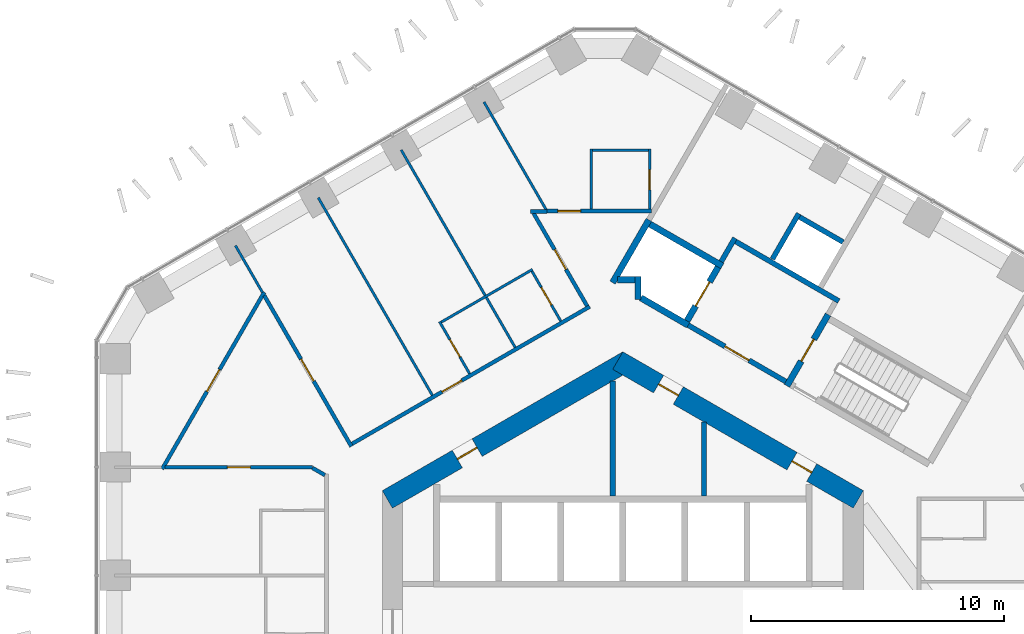
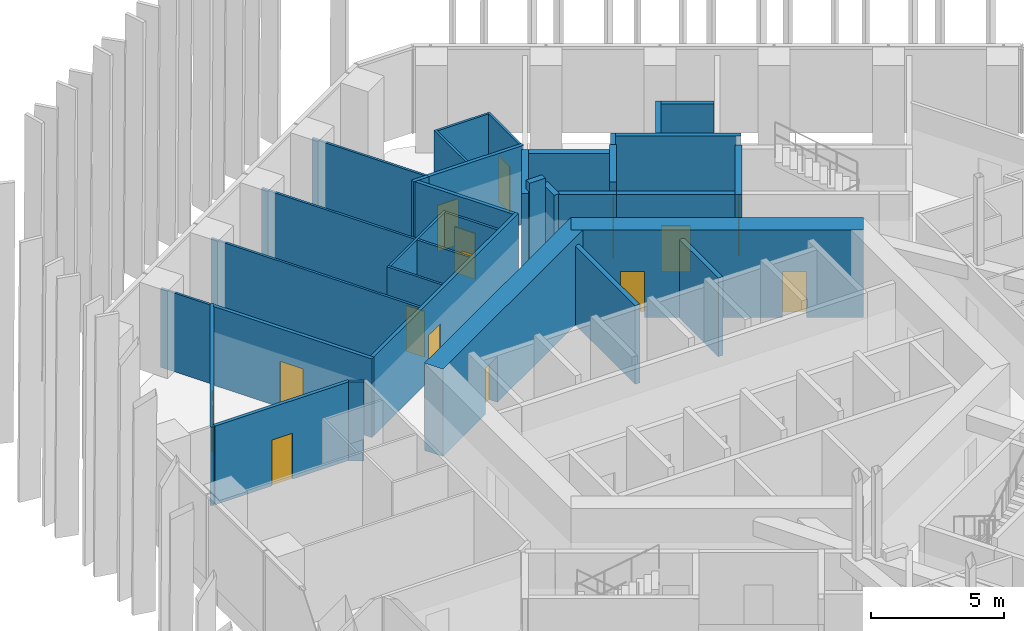
# One storey, part 22 of 29: 34 walls, 15 doors, 15 openings.
"""IFC4 building model written with IfcOpenShell, lengths in metres."""

from ifc_helpers import new_model, si_unit, direction, frame, frame_2d, origin, place, context, subcontext, project, spatial, rectangle, extrude, material, layer, layer_set, type_object, element, fill, save


model = new_model("IFC4")

# Units and contexts
model_context = context("Model", 3, precision=1e-05, world=origin(), true_north=direction((0.0, 1.0)))
body_context = subcontext(model_context, "Body", "Model", "MODEL_VIEW")
ifc_project = project(units=[si_unit("LENGTHUNIT", "METRE"), si_unit("AREAUNIT", "SQUARE_METRE"), si_unit("VOLUMEUNIT", "CUBIC_METRE"), si_unit("PLANEANGLEUNIT", "RADIAN"), si_unit("MASSUNIT", "GRAM", prefix="KILO")], contexts=[model_context])

# Site, building, storey
site_placement = place(None, origin())
site = spatial("IfcSite", under=ifc_project, at=site_placement, CompositionType="ELEMENT")
building_placement = place(site_placement, origin())
building = spatial("IfcBuilding", under=site, at=building_placement, Name="Ayvan Gate Tower", CompositionType="ELEMENT")
storey_placement = place(building_placement, frame((0.0, 0.0, 66.300048828125)))
storey = spatial("IfcBuildingStorey", under=building, at=storey_placement, Name="L17", CompositionType="ELEMENT", Elevation=66.300048828125)

# Wall, openings, doors
ifc_material_1 = material(Name="Concrete C70/85", Category="concrete")
ifc_layer_1 = layer(ifc_material_1, 0.800048828125)
ifc_layer_set_1 = layer_set([ifc_layer_1], Name="Concrete C70/85")
wall_type_1 = type_object("IfcWallType", Name="Core wall 800 C70/85", PredefinedType="SHEAR", material=ifc_layer_set_1)
wall_1_placement = place(storey_placement, frame((9.300048828125, 5.138427734375, 0.0), z_axis=(0.0, 0.0, 1.0), x_axis=(-0.866023993627, 0.500002442456, 0.0)))
wall_1 = element("IfcWall", 1, at=wall_1_placement, inside=storey, type_object=wall_type_1, Name="CORE-L17-1", PredefinedType="SHEAR", context=body_context, shape_type="SweptSolid", body=[
    extrude(rectangle(XDim=10.9697265625, YDim=0.800048828125, at=frame_2d((5.48486328125, 0.0))), origin(), (0.0, 0.0, 1.0), 4.0),
])
opening_1_placement = place(wall_1_placement, frame((8.209716796875, 0.0, 0.0)))
opening_1 = element("IfcOpeningElement", 2, at=opening_1_placement, cuts=wall_1, Name="Opening L17-D52", PredefinedType="OPENING", context=body_context, shape_type="SweptSolid", body=[
    extrude(rectangle(XDim=0.89990234375, YDim=2.10009765625, at=frame_2d((0.449951171875, 1.050048828125))), frame((0.0, 0.409912109375, 0.0), z_axis=(0.0, -1.0, 0.0), x_axis=(1.0, 0.0, 0.0)), (0.0, 0.0, 1.0), 0.820068359375),
])
opening_2_placement = place(wall_1_placement, frame((2.1259765625, 0.0, 0.0)))
opening_2 = element("IfcOpeningElement", 3, at=opening_2_placement, cuts=wall_1, Name="Opening L17-D53", PredefinedType="OPENING", context=body_context, shape_type="SweptSolid", body=[
    extrude(rectangle(XDim=0.89990234375, YDim=2.10009765625, at=frame_2d((0.449951171875, 1.050048828125))), frame((0.0, 0.409912109375, 0.0), z_axis=(0.0, -1.0, 0.0), x_axis=(1.0, 0.0, 0.0)), (0.0, 0.0, 1.0), 0.820068359375),
])
ifc_material_2 = material(Name="Timber door leaf", Category="wood")
door_type_1 = type_object("IfcDoorType", Name="DT-900", OperationType="NOTDEFINED", PredefinedType="DOOR", material=ifc_material_2)
door_1_placement = place(opening_1_placement, origin())
door_1 = element("IfcDoor", 4, at=door_1_placement, inside=storey, type_object=door_type_1, Name="CD-L17-52", OperationType="SINGLE_SWING_LEFT", OverallHeight=2.10009765625, OverallWidth=0.89990234375, PredefinedType="DOOR", context=body_context, shape_type="SweptSolid", body=[
    extrude(rectangle(XDim=0.89990234375, YDim=2.10009765625, at=frame_2d((0.449951171875, 1.050048828125))), frame((0.0, 0.02490234375, 0.0), z_axis=(0.0, -1.0, 0.0), x_axis=(1.0, 0.0, 0.0)), (0.0, 0.0, 1.0), 0.050048828125),
])
fill(opening_1, door_1)
door_2_placement = place(opening_2_placement, origin())
door_2 = element("IfcDoor", 5, at=door_2_placement, inside=storey, type_object=door_type_1, Name="CD-L17-53", OperationType="SINGLE_SWING_RIGHT", OverallHeight=2.10009765625, OverallWidth=0.89990234375, PredefinedType="DOOR", context=body_context, shape_type="SweptSolid", body=[
    extrude(rectangle(XDim=0.89990234375, YDim=2.10009765625, at=frame_2d((0.449951171875, 1.050048828125))), frame((0.0, 0.02490234375, 0.0), z_axis=(0.0, -1.0, 0.0), x_axis=(1.0, 0.0, 0.0)), (0.0, 0.0, 1.0), 0.050048828125),
])
fill(opening_2, door_2)

# Wall, opening, door
wall_2_placement = place(storey_placement, frame((0.199951171875, 10.623291015625, 0.0), z_axis=(0.0, 0.0, 1.0), x_axis=(-0.866023993627, -0.500002442456, 0.0)))
wall_2 = element("IfcWall", 6, at=wall_2_placement, inside=storey, type_object=wall_type_1, Name="CORE-L17-2", PredefinedType="SHEAR", context=body_context, shape_type="SweptSolid", body=[
    extrude(rectangle(XDim=10.9697265625, YDim=0.800048828125, at=frame_2d((5.48486328125, 0.0))), origin(), (0.0, 0.0, 1.0), 4.0),
])
opening_3_placement = place(wall_2_placement, frame((6.877197265625, 0.0, 0.0)))
opening_3 = element("IfcOpeningElement", 7, at=opening_3_placement, cuts=wall_2, Name="Opening L17-D51", PredefinedType="OPENING", context=body_context, shape_type="SweptSolid", body=[
    extrude(rectangle(XDim=0.89990234375, YDim=2.10009765625, at=frame_2d((0.449951171875, 1.050048828125))), frame((0.0, 0.409912109375, 0.0), z_axis=(0.0, -1.0, 0.0), x_axis=(1.0, 0.0, 0.0)), (0.0, 0.0, 1.0), 0.820068359375),
])
door_3_placement = place(opening_3_placement, origin())
door_3 = element("IfcDoor", 8, at=door_3_placement, inside=storey, type_object=door_type_1, Name="CD-L17-51", OperationType="SINGLE_SWING_RIGHT", OverallHeight=2.10009765625, OverallWidth=0.89990234375, PredefinedType="DOOR", context=body_context, shape_type="SweptSolid", body=[
    extrude(rectangle(XDim=0.89990234375, YDim=2.10009765625, at=frame_2d((0.449951171875, 1.050048828125))), frame((0.0, 0.02490234375, 0.0), z_axis=(0.0, -1.0, 0.0), x_axis=(1.0, 0.0, 0.0)), (0.0, 0.0, 1.0), 0.050048828125),
])
fill(opening_3, door_3)

ifc_material_3 = material(Name="Plasterboard on steel stud", Category="steel")
ifc_layer_2 = layer(ifc_material_3, 0.14990234375)
ifc_layer_set_2 = layer_set([ifc_layer_2], Name="Plasterboard on steel stud")
wall_type_2 = type_object("IfcWallType", Name="WT-CORR-150", PredefinedType="PARTITIONING", material=ifc_layer_set_2)
wall_3_placement = place(storey_placement, frame((-18.1904296875, 6.342529296875, 0.0), z_axis=(0.0, 0.0, 1.0), x_axis=(0.499980305572, 0.866036774069, 0.0)))
wall_3 = element("IfcWall", 9, at=wall_3_placement, inside=storey, type_object=wall_type_2, Name="IW-L17-001", PredefinedType="PARTITIONING", context=body_context, shape_type="SweptSolid", body=[
    extrude(rectangle(XDim=8.059326171875, YDim=0.14990234375, at=frame_2d((4.02978515625, 0.0))), origin(), (0.0, 0.0, 1.0), 3.599853515625),
])
opening_4_placement = place(wall_3_placement, frame((3.52978515625, 0.0, 0.0)))
opening_4 = element("IfcOpeningElement", 10, at=opening_4_placement, cuts=wall_3, Name="Opening L17-D26", PredefinedType="OPENING", context=body_context, shape_type="SweptSolid", body=[
    extrude(rectangle(XDim=1.0, YDim=2.10009765625, at=frame_2d((0.5, 1.050048828125))), frame((0.0, 0.0849609375, 0.0), z_axis=(0.0, -1.0, 0.0), x_axis=(1.0, 0.0, 0.0)), (0.0, 0.0, 1.0), 0.169921875),
])
door_type_2 = type_object("IfcDoorType", Name="DT-1000", OperationType="NOTDEFINED", PredefinedType="DOOR", material=ifc_material_2)
door_4_placement = place(opening_4_placement, origin())
door_4 = element("IfcDoor", 11, at=door_4_placement, inside=storey, type_object=door_type_2, Name="ID-L17-026", OperationType="SINGLE_SWING_LEFT", OverallHeight=2.10009765625, OverallWidth=1.0, PredefinedType="DOOR", context=body_context, shape_type="SweptSolid", body=[
    extrude(rectangle(XDim=1.0, YDim=2.10009765625, at=frame_2d((0.5, 1.050048828125))), frame((0.0, 0.02490234375, 0.0), z_axis=(0.0, -1.0, 0.0), x_axis=(1.0, 0.0, 0.0)), (0.0, 0.0, 1.0), 0.050048828125),
])
fill(opening_4, door_4)

wall_4_placement = place(storey_placement, frame((-14.160888671875, 13.1923828125, 0.0), z_axis=(0.0, 0.0, 1.0), x_axis=(0.500005038635, -0.866022494708, 0.0)))
wall_4 = element("IfcWall", 12, at=wall_4_placement, inside=storey, type_object=wall_type_2, Name="IW-L17-009", PredefinedType="PARTITIONING", context=body_context, shape_type="SweptSolid", body=[
    extrude(rectangle(XDim=6.88037109375, YDim=0.14990234375, at=frame_2d((3.440185546875, 0.0))), origin(), (0.0, 0.0, 1.0), 3.599853515625),
])
opening_5_placement = place(wall_4_placement, frame((2.902587890625, 0.0, 0.0)))
opening_5 = element("IfcOpeningElement", 13, at=opening_5_placement, cuts=wall_4, Name="Opening L17-D37", PredefinedType="OPENING", context=body_context, shape_type="SweptSolid", body=[
    extrude(rectangle(XDim=1.0, YDim=2.10009765625, at=frame_2d((0.5, 1.050048828125))), frame((0.0, 0.0849609375, 0.0), z_axis=(0.0, -1.0, 0.0), x_axis=(1.0, 0.0, 0.0)), (0.0, 0.0, 1.0), 0.169921875),
])
door_5_placement = place(opening_5_placement, origin())
door_5 = element("IfcDoor", 14, at=door_5_placement, inside=storey, type_object=door_type_2, Name="ID-L17-037", OperationType="SINGLE_SWING_RIGHT", OverallHeight=2.10009765625, OverallWidth=1.0, PredefinedType="DOOR", context=body_context, shape_type="SweptSolid", body=[
    extrude(rectangle(XDim=1.0, YDim=2.10009765625, at=frame_2d((0.5, 1.050048828125))), frame((0.0, 0.02490234375, 0.0), z_axis=(0.0, -1.0, 0.0), x_axis=(1.0, 0.0, 0.0)), (0.0, 0.0, 1.0), 0.050048828125),
])
fill(opening_5, door_5)

wall_5_placement = place(storey_placement, frame((-12.2470703125, 6.407470703125, 0.0), z_axis=(0.0, 0.0, 1.0), x_axis=(-1.0, 0.0, 0.0)))
wall_5 = element("IfcWall", 15, at=wall_5_placement, inside=storey, type_object=wall_type_2, Name="IW-L17-014", PredefinedType="PARTITIONING", context=body_context, shape_type="SweptSolid", body=[
    extrude(rectangle(XDim=5.830810546875, YDim=0.14990234375, at=frame_2d((2.91552734375, 0.0))), origin(), (0.0, 0.0, 1.0), 3.599853515625),
])
opening_6_placement = place(wall_5_placement, frame((2.465576171875, 0.0, 0.0)))
opening_6 = element("IfcOpeningElement", 16, at=opening_6_placement, cuts=wall_5, Name="Opening L17-D27", PredefinedType="OPENING", context=body_context, shape_type="SweptSolid", body=[
    extrude(rectangle(XDim=0.89990234375, YDim=2.10009765625, at=frame_2d((0.449951171875, 1.050048828125))), frame((0.0, 0.0849609375, 0.0), z_axis=(0.0, -1.0, 0.0), x_axis=(1.0, 0.0, 0.0)), (0.0, 0.0, 1.0), 0.169921875),
])
door_6_placement = place(opening_6_placement, origin())
door_6 = element("IfcDoor", 17, at=door_6_placement, inside=storey, type_object=door_type_1, Name="ID-L17-027", OperationType="SINGLE_SWING_RIGHT", OverallHeight=2.10009765625, OverallWidth=0.89990234375, PredefinedType="DOOR", context=body_context, shape_type="SweptSolid", body=[
    extrude(rectangle(XDim=0.89990234375, YDim=2.10009765625, at=frame_2d((0.449951171875, 1.050048828125))), frame((0.0, 0.02490234375, 0.0), z_axis=(0.0, -1.0, 0.0), x_axis=(1.0, 0.0, 0.0)), (0.0, 0.0, 1.0), 0.050048828125),
])
fill(opening_6, door_6)

# Wall
wall_6_placement = place(storey_placement, frame((-11.764892578125, 6.099609375, 0.0), z_axis=(0.0, 0.0, 1.0), x_axis=(-0.865893856247, 0.500227777832, 0.0)))
element("IfcWall", 18, at=wall_6_placement, inside=storey, type_object=wall_type_2, Name="IW-L17-019", PredefinedType="PARTITIONING", context=body_context, shape_type="SweptSolid", body=[
    extrude(rectangle(XDim=0.571533203125, YDim=0.14990234375, at=frame_2d((0.28564453125, 0.0))), origin(), (0.0, 0.0, 1.0), 3.599853515625),
])

# Wall, opening, door
wall_7_placement = place(storey_placement, frame((-10.693115234375, 7.336181640625, 0.0), z_axis=(0.0, 0.0, 1.0), x_axis=(0.866018601944, 0.500011780947, 0.0)))
wall_7 = element("IfcWall", 19, at=wall_7_placement, inside=storey, type_object=wall_type_2, Name="IW-L17-021", PredefinedType="PARTITIONING", context=body_context, shape_type="SweptSolid", body=[
    extrude(rectangle(XDim=10.834716796875, YDim=0.14990234375, at=frame_2d((5.41748046875, 0.0))), origin(), (0.0, 0.0, 1.0), 3.599853515625),
])
opening_7_placement = place(wall_7_placement, frame((4.103271484375, 0.0, 0.0)))
opening_7 = element("IfcOpeningElement", 20, at=opening_7_placement, cuts=wall_7, Name="Opening L17-D35", PredefinedType="OPENING", context=body_context, shape_type="SweptSolid", body=[
    extrude(rectangle(XDim=0.89990234375, YDim=2.10009765625, at=frame_2d((0.449951171875, 1.050048828125))), frame((0.0, 0.0849609375, 0.0), z_axis=(0.0, -1.0, 0.0), x_axis=(1.0, 0.0, 0.0)), (0.0, 0.0, 1.0), 0.169921875),
])
door_7_placement = place(opening_7_placement, origin())
door_7 = element("IfcDoor", 21, at=door_7_placement, inside=storey, type_object=door_type_1, Name="ID-L17-035", OperationType="SINGLE_SWING_RIGHT", OverallHeight=2.10009765625, OverallWidth=0.89990234375, PredefinedType="DOOR", context=body_context, shape_type="SweptSolid", body=[
    extrude(rectangle(XDim=0.89990234375, YDim=2.10009765625, at=frame_2d((0.449951171875, 1.050048828125))), frame((0.0, 0.02490234375, 0.0), z_axis=(0.0, -1.0, 0.0), x_axis=(1.0, 0.0, 0.0)), (0.0, 0.0, 1.0), 0.050048828125),
])
fill(opening_7, door_7)

# Wall
wall_8_placement = place(storey_placement, frame((-3.640869140625, 16.510986328125, 0.0), z_axis=(0.0, 0.0, 1.0), x_axis=(1.0, 0.0, 0.0)))
element("IfcWall", 22, at=wall_8_placement, inside=storey, type_object=wall_type_2, Name="IW-L17-043", PredefinedType="PARTITIONING", context=body_context, shape_type="SweptSolid", body=[
    extrude(rectangle(XDim=0.65234375, YDim=0.14990234375, at=frame_2d((0.326171875, 0.0))), origin(), (0.0, 0.0, 1.0), 3.599853515625),
])

# Wall, opening, door
wall_9_placement = place(storey_placement, frame((-3.04638671875, 16.524658203125, 0.0), z_axis=(0.0, 0.0, 1.0), x_axis=(1.0, 0.0, 0.0)))
wall_9 = element("IfcWall", 23, at=wall_9_placement, inside=storey, type_object=wall_type_2, Name="IW-L17-045", PredefinedType="PARTITIONING", context=body_context, shape_type="SweptSolid", body=[
    extrude(rectangle(XDim=4.173095703125, YDim=0.14990234375, at=frame_2d((2.08642578125, 0.0))), origin(), (0.0, 0.0, 1.0), 3.599853515625),
])
opening_8_placement = place(wall_9_placement, frame((0.478515625, 0.0, 0.0)))
opening_8 = element("IfcOpeningElement", 24, at=opening_8_placement, cuts=wall_9, Name="Opening L17-D24", PredefinedType="OPENING", context=body_context, shape_type="SweptSolid", body=[
    extrude(rectangle(XDim=0.89990234375, YDim=2.10009765625, at=frame_2d((0.449951171875, 1.050048828125))), frame((0.0, 0.0849609375, 0.0), z_axis=(0.0, -1.0, 0.0), x_axis=(1.0, 0.0, 0.0)), (0.0, 0.0, 1.0), 0.169921875),
])
door_8_placement = place(opening_8_placement, origin())
door_8 = element("IfcDoor", 25, at=door_8_placement, inside=storey, type_object=door_type_1, Name="ID-L17-024", OperationType="SINGLE_SWING_LEFT", OverallHeight=2.10009765625, OverallWidth=0.89990234375, PredefinedType="DOOR", context=body_context, shape_type="SweptSolid", body=[
    extrude(rectangle(XDim=0.89990234375, YDim=2.10009765625, at=frame_2d((0.449951171875, 1.050048828125))), frame((0.0, 0.02490234375, 0.0), z_axis=(0.0, -1.0, 0.0), x_axis=(1.0, 0.0, 0.0)), (0.0, 0.0, 1.0), 0.050048828125),
])
fill(opening_8, door_8)

wall_10_placement = place(storey_placement, frame((-1.412353515625, 12.781005859375, 0.0), z_axis=(0.0, 0.0, 1.0), x_axis=(-0.499992114976, 0.866029956157, 0.0)))
wall_10 = element("IfcWall", 26, at=wall_10_placement, inside=storey, type_object=wall_type_2, Name="IW-L17-055", PredefinedType="PARTITIONING", context=body_context, shape_type="SweptSolid", body=[
    extrude(rectangle(XDim=4.23193359375, YDim=0.14990234375, at=frame_2d((2.115966796875, 0.0))), origin(), (0.0, 0.0, 1.0), 3.599853515625),
])
opening_9_placement = place(wall_10_placement, frame((1.666015625, 0.0, 0.0)))
opening_9 = element("IfcOpeningElement", 27, at=opening_9_placement, cuts=wall_10, Name="Opening L17-D33", PredefinedType="OPENING", context=body_context, shape_type="SweptSolid", body=[
    extrude(rectangle(XDim=0.89990234375, YDim=2.10009765625, at=frame_2d((0.449951171875, 1.050048828125))), frame((0.0, 0.0849609375, 0.0), z_axis=(0.0, -1.0, 0.0), x_axis=(1.0, 0.0, 0.0)), (0.0, 0.0, 1.0), 0.169921875),
])
door_9_placement = place(opening_9_placement, origin())
door_9 = element("IfcDoor", 28, at=door_9_placement, inside=storey, type_object=door_type_1, Name="ID-L17-033", OperationType="SINGLE_SWING_RIGHT", OverallHeight=2.10009765625, OverallWidth=0.89990234375, PredefinedType="DOOR", context=body_context, shape_type="SweptSolid", body=[
    extrude(rectangle(XDim=0.89990234375, YDim=2.10009765625, at=frame_2d((0.449951171875, 1.050048828125))), frame((0.0, 0.02490234375, 0.0), z_axis=(0.0, -1.0, 0.0), x_axis=(1.0, 0.0, 0.0)), (0.0, 0.0, 1.0), 0.050048828125),
])
fill(opening_9, door_9)

# Walls
ifc_layer_3 = layer(ifc_material_3, 0.10009765625)
ifc_layer_set_3 = layer_set([ifc_layer_3], Name="Plasterboard on steel stud")
wall_type_3 = type_object("IfcWallType", Name="WT-PART-100", PredefinedType="PARTITIONING", material=ifc_layer_set_3)
wall_11_placement = place(storey_placement, frame((-15.30029296875, 15.166259765625, 0.0), z_axis=(0.0, 0.0, 1.0), x_axis=(0.499937513688, -0.866061477268, 0.0)))
element("IfcWall", 29, at=wall_11_placement, inside=storey, type_object=wall_type_3, Name="IW-L17-005", PredefinedType="PARTITIONING", context=body_context, shape_type="SweptSolid", body=[
    extrude(rectangle(XDim=2.129150390625, YDim=0.10009765625, at=frame_2d((1.064453125, 0.0))), origin(), (0.0, 0.0, 1.0), 3.599853515625),
])
wall_12_placement = place(storey_placement, frame((-7.5234375, 9.2529296875, 0.0), z_axis=(0.0, 0.0, 1.0), x_axis=(-0.500009404554, 0.866019973994, 0.0)))
element("IfcWall", 30, at=wall_12_placement, inside=storey, type_object=wall_type_3, Name="IW-L17-027", PredefinedType="PARTITIONING", context=body_context, shape_type="SweptSolid", body=[
    extrude(rectangle(XDim=9.009521484375, YDim=0.10009765625, at=frame_2d((4.5048828125, 0.0))), origin(), (0.0, 0.0, 1.0), 3.599853515625),
])

# Wall, opening, door
wall_13_placement = place(storey_placement, frame((-7.23876953125, 12.15966796875, 0.0), z_axis=(0.0, 0.0, 1.0), x_axis=(0.499986429846, -0.866033238375, 0.0)))
wall_13 = element("IfcWall", 31, at=wall_13_placement, inside=storey, type_object=wall_type_3, Name="IW-L17-033", PredefinedType="PARTITIONING", context=body_context, shape_type="SweptSolid", body=[
    extrude(rectangle(XDim=2.375, YDim=0.10009765625, at=frame_2d((1.1875, 0.0))), origin(), (0.0, 0.0, 1.0), 3.599853515625),
])
opening_10_placement = place(wall_13_placement, frame((0.8125, 0.0, 0.0)))
opening_10 = element("IfcOpeningElement", 32, at=opening_10_placement, cuts=wall_13, Name="Opening L17-D36", PredefinedType="OPENING", context=body_context, shape_type="SweptSolid", body=[
    extrude(rectangle(XDim=0.800048828125, YDim=2.10009765625, at=frame_2d((0.39990234375, 1.050048828125))), frame((0.0, 0.06005859375, 0.0), z_axis=(0.0, -1.0, 0.0), x_axis=(1.0, 0.0, 0.0)), (0.0, 0.0, 1.0), 0.1201171875),
])
door_type_3 = type_object("IfcDoorType", Name="DT-800", OperationType="NOTDEFINED", PredefinedType="DOOR", material=ifc_material_2)
door_10_placement = place(opening_10_placement, origin())
door_10 = element("IfcDoor", 33, at=door_10_placement, inside=storey, type_object=door_type_3, Name="ID-L17-036", OperationType="SINGLE_SWING_LEFT", OverallHeight=2.10009765625, OverallWidth=0.800048828125, PredefinedType="DOOR", context=body_context, shape_type="SweptSolid", body=[
    extrude(rectangle(XDim=0.800048828125, YDim=2.10009765625, at=frame_2d((0.39990234375, 1.050048828125))), frame((0.0, 0.02490234375, 0.0), z_axis=(0.0, -1.0, 0.0), x_axis=(1.0, 0.0, 0.0)), (0.0, 0.0, 1.0), 0.050048828125),
])
fill(opening_10, door_10)

# Walls
wall_14_placement = place(storey_placement, frame((-7.17041015625, 12.141357421875, 0.0), z_axis=(0.0, 0.0, 1.0), x_axis=(0.866036909293, 0.499980071345, 0.0)))
element("IfcWall", 34, at=wall_14_placement, inside=storey, type_object=wall_type_3, Name="IW-L17-036", PredefinedType="PARTITIONING", context=body_context, shape_type="SweptSolid", body=[
    extrude(rectangle(XDim=4.156494140625, YDim=0.10009765625, at=frame_2d((2.078125, 0.0))), origin(), (0.0, 0.0, 1.0), 3.599853515625),
])
wall_15_placement = place(storey_placement, frame((-8.75634765625, 18.944580078125, 0.0), z_axis=(0.0, 0.0, 1.0), x_axis=(0.500009404554, -0.866019973994, 0.0)))
element("IfcWall", 35, at=wall_15_placement, inside=storey, type_object=wall_type_3, Name="IW-L17-037", PredefinedType="PARTITIONING", context=body_context, shape_type="SweptSolid", body=[
    extrude(rectangle(XDim=9.009521484375, YDim=0.10009765625, at=frame_2d((4.5048828125, 0.0))), origin(), (0.0, 0.0, 1.0), 3.599853515625),
])
wall_16_placement = place(storey_placement, frame((-3.033935546875, 16.589599609375, 0.0), z_axis=(0.0, 0.0, 1.0), x_axis=(-0.499975448907, 0.8660395779, 0.0)))
element("IfcWall", 36, at=wall_16_placement, inside=storey, type_object=wall_type_3, Name="IW-L17-044", PredefinedType="PARTITIONING", context=body_context, shape_type="SweptSolid", body=[
    extrude(rectangle(XDim=4.900634765625, YDim=0.10009765625, at=frame_2d((2.4501953125, 0.0))), origin(), (0.0, 0.0, 1.0), 3.599853515625),
])

# Wall, opening, door
wall_17_placement = place(storey_placement, frame((-2.45166015625, 12.18115234375, 0.0), z_axis=(0.0, 0.0, 1.0), x_axis=(-0.499982560684, 0.866035472144, 0.0)))
wall_17 = element("IfcWall", 37, at=wall_17_placement, inside=storey, type_object=wall_type_3, Name="IW-L17-050", PredefinedType="PARTITIONING", context=body_context, shape_type="SweptSolid", body=[
    extrude(rectangle(XDim=2.27490234375, YDim=0.10009765625, at=frame_2d((1.137451171875, 0.0))), origin(), (0.0, 0.0, 1.0), 3.599853515625),
])
opening_11_placement = place(wall_17_placement, frame((0.737548828125, 0.0, 0.0)))
opening_11 = element("IfcOpeningElement", 38, at=opening_11_placement, cuts=wall_17, Name="Opening L17-D34", PredefinedType="OPENING", context=body_context, shape_type="SweptSolid", body=[
    extrude(rectangle(XDim=0.800048828125, YDim=2.10009765625, at=frame_2d((0.39990234375, 1.050048828125))), frame((0.0, 0.06005859375, 0.0), z_axis=(0.0, -1.0, 0.0), x_axis=(1.0, 0.0, 0.0)), (0.0, 0.0, 1.0), 0.1201171875),
])
door_11_placement = place(opening_11_placement, origin())
door_11 = element("IfcDoor", 39, at=door_11_placement, inside=storey, type_object=door_type_3, Name="ID-L17-034", OperationType="SINGLE_SWING_LEFT", OverallHeight=2.10009765625, OverallWidth=0.800048828125, PredefinedType="DOOR", context=body_context, shape_type="SweptSolid", body=[
    extrude(rectangle(XDim=0.800048828125, YDim=2.10009765625, at=frame_2d((0.39990234375, 1.050048828125))), frame((0.0, 0.02490234375, 0.0), z_axis=(0.0, -1.0, 0.0), x_axis=(1.0, 0.0, 0.0)), (0.0, 0.0, 1.0), 0.050048828125),
])
fill(opening_11, door_11)

# Wall
wall_18_placement = place(storey_placement, frame((-1.243896484375, 18.974609375, 0.0), z_axis=(0.0, 0.0, 1.0), x_axis=(0.0, -1.0, 0.0)))
element("IfcWall", 40, at=wall_18_placement, inside=storey, type_object=wall_type_3, Name="IW-L17-056", PredefinedType="PARTITIONING", context=body_context, shape_type="SweptSolid", body=[
    extrude(rectangle(XDim=2.375, YDim=0.10009765625, at=frame_2d((1.1875, 0.0))), origin(), (0.0, 0.0, 1.0), 3.599853515625),
])

# Wall, opening, door
wall_19_placement = place(storey_placement, frame((1.055908203125, 16.599609375, 0.0), z_axis=(0.0, 0.0, 1.0), x_axis=(0.0, 1.0, 0.0)))
wall_19 = element("IfcWall", 41, at=wall_19_placement, inside=storey, type_object=wall_type_3, Name="IW-L17-075", PredefinedType="PARTITIONING", context=body_context, shape_type="SweptSolid", body=[
    extrude(rectangle(XDim=2.375, YDim=0.10009765625, at=frame_2d((1.1875, 0.0))), origin(), (0.0, 0.0, 1.0), 3.599853515625),
])
opening_12_placement = place(wall_19_placement, frame((0.762451171875, 0.0, 0.0)))
opening_12 = element("IfcOpeningElement", 42, at=opening_12_placement, cuts=wall_19, Name="Opening L17-D25", PredefinedType="OPENING", context=body_context, shape_type="SweptSolid", body=[
    extrude(rectangle(XDim=0.800048828125, YDim=2.10009765625, at=frame_2d((0.39990234375, 1.050048828125))), frame((0.0, 0.06005859375, 0.0), z_axis=(0.0, -1.0, 0.0), x_axis=(1.0, 0.0, 0.0)), (0.0, 0.0, 1.0), 0.1201171875),
])
door_12_placement = place(opening_12_placement, origin())
door_12 = element("IfcDoor", 43, at=door_12_placement, inside=storey, type_object=door_type_3, Name="ID-L17-025", OperationType="SINGLE_SWING_RIGHT", OverallHeight=2.10009765625, OverallWidth=0.800048828125, PredefinedType="DOOR", context=body_context, shape_type="SweptSolid", body=[
    extrude(rectangle(XDim=0.800048828125, YDim=2.10009765625, at=frame_2d((0.39990234375, 1.050048828125))), frame((0.0, 0.02490234375, 0.0), z_axis=(0.0, -1.0, 0.0), x_axis=(1.0, 0.0, 0.0)), (0.0, 0.0, 1.0), 0.050048828125),
])
fill(opening_12, door_12)

# Walls
wall_20_placement = place(storey_placement, frame((1.006103515625, 18.9248046875, 0.0), z_axis=(0.0, 0.0, 1.0), x_axis=(-1.0, 0.0, 0.0)))
element("IfcWall", 44, at=wall_20_placement, inside=storey, type_object=wall_type_3, Name="IW-L17-076", PredefinedType="PARTITIONING", context=body_context, shape_type="SweptSolid", body=[
    extrude(rectangle(XDim=2.2001953125, YDim=0.10009765625, at=frame_2d((1.10009765625, 0.0))), origin(), (0.0, 0.0, 1.0), 3.599853515625),
])
ifc_layer_4 = layer(ifc_material_3, 0.199951171875)
ifc_layer_set_4 = layer_set([ifc_layer_4], Name="Plasterboard on steel stud")
wall_type_4 = type_object("IfcWallType", Name="WT-PLUMB-200", PredefinedType="PLUMBINGWALL", material=ifc_layer_set_4)
wall_21_placement = place(storey_placement, frame((3.885009765625, 14.52880859375, 0.0), z_axis=(0.0, 0.0, 1.0), x_axis=(0.499997628298, 0.866026773083, 0.0)))
element("IfcWall", 45, at=wall_21_placement, inside=storey, type_object=wall_type_4, Name="IW-L17-092", PredefinedType="PLUMBINGWALL", context=body_context, shape_type="SweptSolid", body=[
    extrude(rectangle(XDim=1.0751953125, YDim=0.199951171875, at=frame_2d((0.53759765625, 0.0))), origin(), (0.0, 0.0, 1.0), 3.599853515625),
])
wall_22_placement = place(storey_placement, frame((4.458984375, 15.323486328125, 0.0), z_axis=(0.0, 0.0, 1.0), x_axis=(0.866016039709, -0.500016218704, 0.0)))
element("IfcWall", 46, at=wall_22_placement, inside=storey, type_object=wall_type_4, Name="IW-L17-093", PredefinedType="PLUMBINGWALL", context=body_context, shape_type="SweptSolid", body=[
    extrude(rectangle(XDim=4.699951171875, YDim=0.199951171875, at=frame_2d((2.35009765625, 0.0))), origin(), (0.0, 0.0, 1.0), 3.599853515625),
])
wall_23_placement = place(storey_placement, frame((5.90478515625, 14.627197265625, 0.0), z_axis=(0.0, 0.0, 1.0), x_axis=(0.499888406853, 0.866089822532, 0.0)))
element("IfcWall", 47, at=wall_23_placement, inside=storey, type_object=wall_type_4, Name="IW-L17-158", PredefinedType="PLUMBINGWALL", context=body_context, shape_type="SweptSolid", body=[
    extrude(rectangle(XDim=2.080078125, YDim=0.199951171875, at=frame_2d((1.0400390625, 0.0))), origin(), (0.0, 0.0, 1.0), 3.599853515625),
])
wall_24_placement = place(storey_placement, frame((6.981201171875, 16.2919921875, 0.0), z_axis=(0.0, 0.0, 1.0), x_axis=(0.866041862775, -0.499971491109, 0.0)))
element("IfcWall", 48, at=wall_24_placement, inside=storey, type_object=wall_type_4, Name="IW-L17-159", PredefinedType="PLUMBINGWALL", context=body_context, shape_type="SweptSolid", body=[
    extrude(rectangle(XDim=1.97998046875, YDim=0.199951171875, at=frame_2d((0.989990234375, 0.0))), origin(), (0.0, 0.0, 1.0), 3.599853515625),
])
ifc_layer_5 = layer(ifc_material_3, 0.199951171875)
ifc_layer_set_5 = layer_set([ifc_layer_5], Name="Plasterboard on steel stud")
wall_type_5 = type_object("IfcWallType", Name="WT-RATED-200", PredefinedType="PARTITIONING", material=ifc_layer_set_5)
wall_25_placement = place(storey_placement, frame((-0.39990234375, 9.81494140625, 0.0), z_axis=(0.0, 0.0, 1.0), x_axis=(0.0, -1.0, 0.0)))
element("IfcWall", 49, at=wall_25_placement, inside=storey, type_object=wall_type_5, Name="IW-L17-064", PredefinedType="PARTITIONING", context=body_context, shape_type="SweptSolid", body=[
    extrude(rectangle(XDim=4.5400390625, YDim=0.199951171875, at=frame_2d((2.27001953125, 0.0))), origin(), (0.0, 0.0, 1.0), 3.599853515625),
])
wall_26_placement = place(storey_placement, frame((3.199951171875, 8.198486328125, 0.0), z_axis=(0.0, 0.0, 1.0), x_axis=(0.0, -1.0, 0.0)))
element("IfcWall", 50, at=wall_26_placement, inside=storey, type_object=wall_type_5, Name="IW-L17-088", PredefinedType="PARTITIONING", context=body_context, shape_type="SweptSolid", body=[
    extrude(rectangle(XDim=2.923583984375, YDim=0.199951171875, at=frame_2d((1.4619140625, 0.0))), origin(), (0.0, 0.0, 1.0), 3.599853515625),
])

# Wall, opening, door
wall_27_placement = place(storey_placement, frame((6.4345703125, 9.794921875, 0.0), z_axis=(0.0, 0.0, 1.0), x_axis=(-0.866012907634, 0.500021643343, 0.0)))
wall_27 = element("IfcWall", 51, at=wall_27_placement, inside=storey, type_object=wall_type_5, Name="IW-L17-098", PredefinedType="PARTITIONING", context=body_context, shape_type="SweptSolid", body=[
    extrude(rectangle(XDim=4.449951171875, YDim=0.199951171875, at=frame_2d((2.22509765625, 0.0))), origin(), (0.0, 0.0, 1.0), 3.599853515625),
])
opening_13_placement = place(wall_27_placement, frame((1.675048828125, 0.0, 0.0)))
opening_13 = element("IfcOpeningElement", 52, at=opening_13_placement, cuts=wall_27, Name="Opening L17-D08", PredefinedType="OPENING", context=body_context, shape_type="SweptSolid", body=[
    extrude(rectangle(XDim=1.10009765625, YDim=2.10009765625, at=frame_2d((0.550048828125, 1.050048828125))), frame((0.0, 0.10986328125, 0.0), z_axis=(0.0, -1.0, 0.0), x_axis=(1.0, 0.0, 0.0)), (0.0, 0.0, 1.0), 0.219970703125),
])
door_type_4 = type_object("IfcDoorType", Name="DT-1100", OperationType="NOTDEFINED", PredefinedType="DOOR", material=ifc_material_2)
door_13_placement = place(opening_13_placement, origin())
door_13 = element("IfcDoor", 53, at=door_13_placement, inside=storey, type_object=door_type_4, Name="ID-L17-008", OperationType="SINGLE_SWING_LEFT", OverallHeight=2.10009765625, OverallWidth=1.10009765625, PredefinedType="DOOR", context=body_context, shape_type="SweptSolid", body=[
    extrude(rectangle(XDim=1.10009765625, YDim=2.10009765625, at=frame_2d((0.550048828125, 1.050048828125))), frame((0.0, 0.02490234375, 0.0), z_axis=(0.0, -1.0, 0.0), x_axis=(1.0, 0.0, 0.0)), (0.0, 0.0, 1.0), 0.050048828125),
])
fill(opening_13, door_13)

# Walls
ifc_material_4 = material(Name="Concrete C50/60", Category="concrete")
ifc_layer_6 = layer(ifc_material_4, 0.25)
ifc_layer_set_6 = layer_set([ifc_layer_6], Name="Concrete C50/60")
wall_type_6 = type_object("IfcWallType", Name="WT-RC-250", PredefinedType="SHEAR", material=ifc_layer_set_6)
wall_28_placement = place(storey_placement, frame((-0.403076171875, 13.70166015625, 0.0), z_axis=(0.0, 0.0, 1.0), x_axis=(0.499976111731, 0.866039195244, 0.0)))
element("IfcWall", 54, at=wall_28_placement, inside=storey, type_object=wall_type_6, Name="IW-L17-065", PredefinedType="SHEAR", context=body_context, shape_type="SweptSolid", body=[
    extrude(rectangle(XDim=2.860595703125, YDim=0.25, at=frame_2d((1.43017578125, 0.0))), origin(), (0.0, 0.0, 1.0), 3.599853515625),
])
wall_29_placement = place(storey_placement, frame((0.60009765625, 13.03857421875, 0.0), z_axis=(0.0, 0.0, 1.0), x_axis=(0.0, 1.0, 0.0)))
element("IfcWall", 55, at=wall_29_placement, inside=storey, type_object=wall_type_6, Name="IW-L17-071", PredefinedType="SHEAR", context=body_context, shape_type="SweptSolid", body=[
    extrude(rectangle(XDim=0.896484375, YDim=0.25, at=frame_2d((0.4482421875, 0.0))), origin(), (0.0, 0.0, 1.0), 3.599853515625),
])
wall_30_placement = place(storey_placement, frame((0.47509765625, 13.81005859375, 0.0), z_axis=(0.0, 0.0, 1.0), x_axis=(-1.0, 0.0, 0.0)))
element("IfcWall", 56, at=wall_30_placement, inside=storey, type_object=wall_type_6, Name="IW-L17-072", PredefinedType="SHEAR", context=body_context, shape_type="SweptSolid", body=[
    extrude(rectangle(XDim=0.690673828125, YDim=0.25, at=frame_2d((0.34521484375, 0.0))), origin(), (0.0, 0.0, 1.0), 4.0),
])
wall_31_placement = place(storey_placement, frame((1.072998046875, 16.00830078125, 0.0), z_axis=(0.0, 0.0, 1.0), x_axis=(0.866040211805, -0.499974350878, 0.0)))
element("IfcWall", 57, at=wall_31_placement, inside=storey, type_object=wall_type_6, Name="IW-L17-073", PredefinedType="SHEAR", context=body_context, shape_type="SweptSolid", body=[
    extrude(rectangle(XDim=3.300048828125, YDim=0.25, at=frame_2d((1.64990234375, 0.0))), origin(), (0.0, 0.0, 1.0), 3.599853515625),
])
wall_32_placement = place(storey_placement, frame((2.580810546875, 12.02001953125, 0.0), z_axis=(0.0, 0.0, 1.0), x_axis=(-0.86603892542, 0.499976579108, 0.0)))
element("IfcWall", 58, at=wall_32_placement, inside=storey, type_object=wall_type_6, Name="IW-L17-085", PredefinedType="SHEAR", context=body_context, shape_type="SweptSolid", body=[
    extrude(rectangle(XDim=2.162109375, YDim=0.25, at=frame_2d((1.0810546875, 0.0))), origin(), (0.0, 0.0, 1.0), 3.599853515625),
])

# Wall, opening, door
wall_33_placement = place(storey_placement, frame((2.534912109375, 12.19091796875, 0.0), z_axis=(0.0, 0.0, 1.0), x_axis=(0.500061746146, 0.865989751695, 0.0)))
wall_33 = element("IfcWall", 59, at=wall_33_placement, inside=storey, type_object=wall_type_6, Name="IW-L17-086", PredefinedType="SHEAR", context=body_context, shape_type="SweptSolid", body=[
    extrude(rectangle(XDim=2.449951171875, YDim=0.25, at=frame_2d((1.22509765625, 0.0))), origin(), (0.0, 0.0, 1.0), 4.0),
])
opening_14_placement = place(wall_33_placement, frame((0.675048828125, 0.0, 0.0)))
opening_14 = element("IfcOpeningElement", 60, at=opening_14_placement, cuts=wall_33, Name="Opening L17-LD-FF1", PredefinedType="OPENING", context=body_context, shape_type="SweptSolid", body=[
    extrude(rectangle(XDim=1.10009765625, YDim=2.10009765625, at=frame_2d((0.550048828125, 1.050048828125))), frame((0.0, 0.135009765625, 0.0), z_axis=(0.0, -1.0, 0.0), x_axis=(1.0, 0.0, 0.0)), (0.0, 0.0, 1.0), 0.27001953125),
])
ifc_material_5 = material(Name="Stainless steel landing door", Category="steel")
door_type_5 = type_object("IfcDoorType", Name="DT-LANDING-1100", OperationType="SLIDING_TO_LEFT", PredefinedType="DOOR", material=ifc_material_5)
door_14_placement = place(opening_14_placement, origin())
door_14 = element("IfcDoor", 61, at=door_14_placement, inside=storey, type_object=door_type_5, Name="ID-L17-009", OperationType="SLIDING_TO_LEFT", OverallHeight=2.10009765625, OverallWidth=1.10009765625, PredefinedType="DOOR", context=body_context, shape_type="SweptSolid", body=[
    extrude(rectangle(XDim=1.10009765625, YDim=2.10009765625, at=frame_2d((0.550048828125, 1.050048828125))), frame((0.0, 0.02490234375, 0.0), z_axis=(0.0, -1.0, 0.0), x_axis=(1.0, 0.0, 0.0)), (0.0, 0.0, 1.0), 0.050048828125),
])
fill(opening_14, door_14)

wall_34_placement = place(storey_placement, frame((6.480224609375, 9.624267578125, 0.0), z_axis=(0.0, 0.0, 1.0), x_axis=(0.500017246033, 0.866015446554, 0.0)))
wall_34 = element("IfcWall", 62, at=wall_34_placement, inside=storey, type_object=wall_type_6, Name="IW-L17-099", PredefinedType="SHEAR", context=body_context, shape_type="SweptSolid", body=[
    extrude(rectangle(XDim=3.25, YDim=0.25, at=frame_2d((1.625, 0.0))), origin(), (0.0, 0.0, 1.0), 3.599853515625),
])
opening_15_placement = place(wall_34_placement, frame((1.125, 0.0, 0.0)))
opening_15 = element("IfcOpeningElement", 63, at=opening_15_placement, cuts=wall_34, Name="Opening L17-D07", PredefinedType="OPENING", context=body_context, shape_type="SweptSolid", body=[
    extrude(rectangle(XDim=1.0, YDim=2.10009765625, at=frame_2d((0.5, 1.050048828125))), frame((0.0, 0.135009765625, 0.0), z_axis=(0.0, -1.0, 0.0), x_axis=(1.0, 0.0, 0.0)), (0.0, 0.0, 1.0), 0.27001953125),
])
door_15_placement = place(opening_15_placement, origin())
door_15 = element("IfcDoor", 64, at=door_15_placement, inside=storey, type_object=door_type_2, Name="ID-L17-007", OperationType="SINGLE_SWING_RIGHT", OverallHeight=2.10009765625, OverallWidth=1.0, PredefinedType="DOOR", context=body_context, shape_type="SweptSolid", body=[
    extrude(rectangle(XDim=1.0, YDim=2.10009765625, at=frame_2d((0.5, 1.050048828125))), frame((0.0, 0.02490234375, 0.0), z_axis=(0.0, -1.0, 0.0), x_axis=(1.0, 0.0, 0.0)), (0.0, 0.0, 1.0), 0.050048828125),
])
fill(opening_15, door_15)

save(model, "model.ifc")
